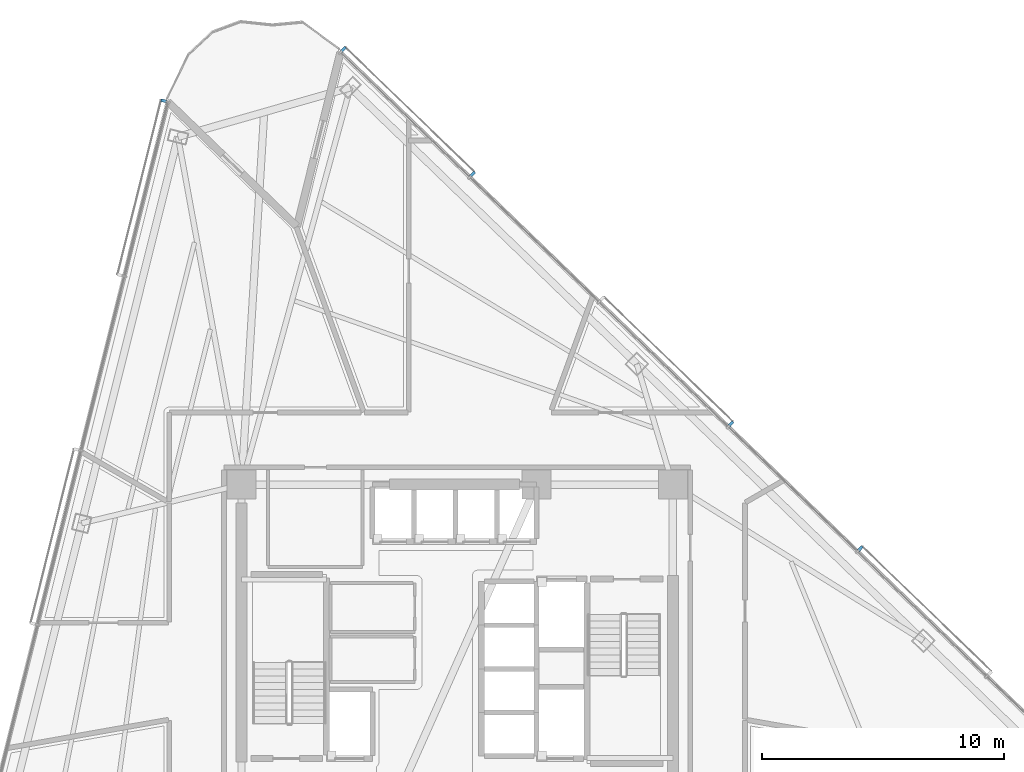
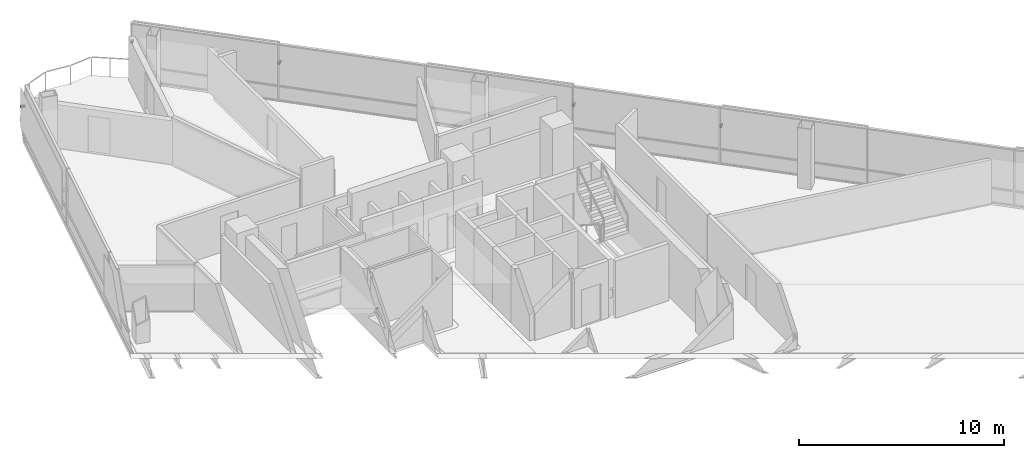
# One storey, part 14 of 19: 5 discrete accessories.
"""IFC4 building model written with IfcOpenShell, lengths in metres."""

from ifc_helpers import new_model, si_unit, direction, frame, origin, origin_2d, place, context, subcontext, project, spatial, rectangle, extrude, material, type_object, element, save


model = new_model("IFC4")

# Units and contexts
model_context = context("Model", 3, precision=1e-05, world=origin(), true_north=direction((0.0, 1.0)))
body_context = subcontext(model_context, "Body", "Model", "MODEL_VIEW")
ifc_project = project(units=[si_unit("LENGTHUNIT", "METRE"), si_unit("AREAUNIT", "SQUARE_METRE"), si_unit("VOLUMEUNIT", "CUBIC_METRE"), si_unit("PLANEANGLEUNIT", "RADIAN"), si_unit("MASSUNIT", "GRAM", prefix="KILO")], contexts=[model_context])

# Site, building, storey
site_placement = place(None, origin())
site = spatial("IfcSite", under=ifc_project, at=site_placement, CompositionType="ELEMENT")
building_placement = place(site_placement, origin())
building = spatial("IfcBuilding", under=site, at=building_placement, Name="Tharavind Bronze Gate", CompositionType="ELEMENT")
storey_placement = place(building_placement, frame((0.0, 0.0, 89.699951171875)))
storey = spatial("IfcBuildingStorey", under=building, at=storey_placement, Name="L22", CompositionType="ELEMENT", Elevation=89.699951171875)

# Discrete accessories
ifc_material = material(Name="Stainless Steel 316", Category="steel")
discrete_accessory_type = type_object("IfcDiscreteAccessoryType", Name="SOLAR SCREEN STANDOFF BRACKET", PredefinedType="BRACKET", material=ifc_material)
for number, where, z_axis, x_axis, name in (
    (1, (-12.1083984375, 23.437744140625, 2.094970703125), (0.0, 0.0, 1.0), (-0.2419218956, -0.970295726276, 0.0), "CW-L22-S1 solar screen bracket 1.1"),
    (2, (16.637939453125, 4.962158203125, 2.094970703125), (0.0, 0.0, 1.0), (-0.719341012745, 0.694657114973, 0.0), "CW-L22-S3 solar screen bracket 3.2"),
    (3, (11.3046875, 10.1123046875, 2.094970703125), (0.0, 0.0, 1.0), (-0.719341012745, 0.694657114973, 0.0), "CW-L22-S3 solar screen bracket 5.1"),
    (4, (0.637939453125, 20.4130859375, 2.094970703125), (0.0, 0.0, 1.0), (-0.719341012745, 0.694657114973, 0.0), "CW-L22-S3 solar screen bracket 7.1"),
    (5, (-4.6953125, 25.5634765625, 2.094970703125), (0.0, 0.0, 1.0), (-0.719341012745, 0.694657114973, 0.0), "CW-L22-S3 solar screen bracket 7.2"),
):
    element("IfcDiscreteAccessory", number, at=place(storey_placement, frame(where, z_axis=z_axis, x_axis=x_axis)), inside=storey, type_object=discrete_accessory_type, Name=name, PredefinedType="BRACKET", context=body_context, shape_type="SweptSolid", body=[
        extrude(rectangle(XDim=0.1201171875, YDim=0.239990234375, at=origin_2d()), origin(), (0.0, 0.0, 1.0), 0.1201171875),
    ])

save(model, "model.ifc")
